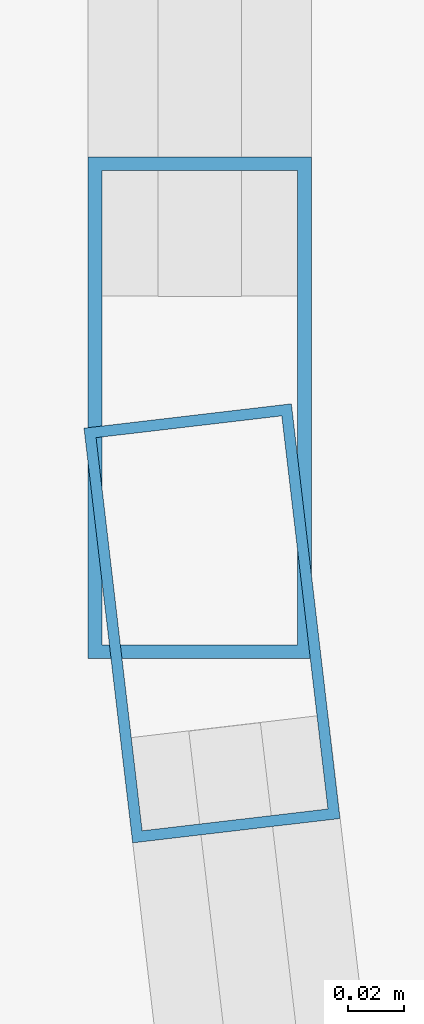
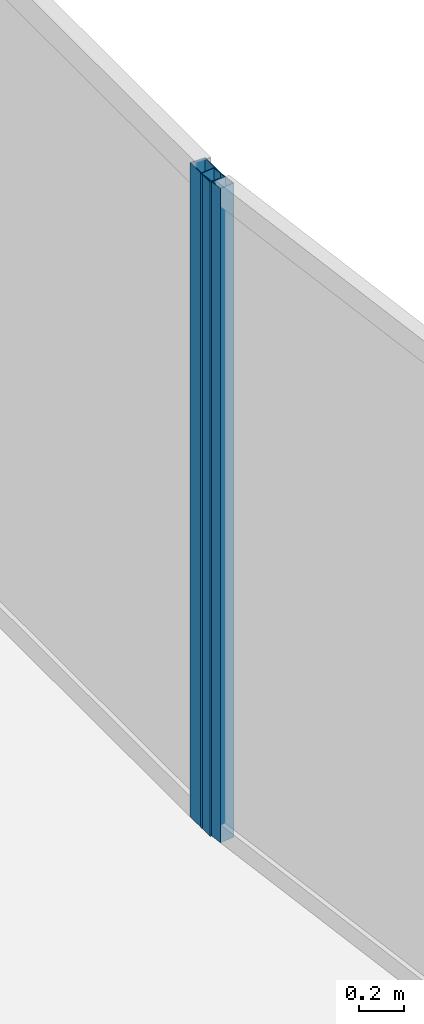
# One storey, part 12 of 23: 2 members, 2 elements without a shape of their own.
"""IFC4 building model written with IfcOpenShell, lengths in metres."""

from ifc_helpers import new_model, si_unit, direction, frame, origin, origin_2d, place, context, subcontext, project, spatial, hollow_rectangle, extrude, material, layer, layer_set, material_profile, profile_set, type_object, element, aggregate, save


model = new_model("IFC4")

# Units and contexts
model_context = context("Model", 3, precision=1e-05, world=origin(), true_north=direction((0.0, 1.0)))
body_context = subcontext(model_context, "Body", "Model", "MODEL_VIEW")
ifc_project = project(units=[si_unit("LENGTHUNIT", "METRE"), si_unit("AREAUNIT", "SQUARE_METRE"), si_unit("VOLUMEUNIT", "CUBIC_METRE"), si_unit("PLANEANGLEUNIT", "RADIAN"), si_unit("MASSUNIT", "GRAM", prefix="KILO")], contexts=[model_context])

# Site, building, storey
site_placement = place(None, origin())
site = spatial("IfcSite", under=ifc_project, at=site_placement, CompositionType="ELEMENT")
building_placement = place(site_placement, origin())
building = spatial("IfcBuilding", under=site, at=building_placement, Name="Kazevale Care Tower and Concert Hall", CompositionType="ELEMENT")
storey_placement = place(building_placement, frame((0.0, 0.0, 270.0)))
storey = spatial("IfcBuildingStorey", under=building, at=storey_placement, Name="L71", CompositionType="ELEMENT", Elevation=270.0)

# Curtain wall, member
ifc_material_1 = material(Name="Aluminium 6063-T6 and Low-E Glass", Category="aluminium")
ifc_layer_1 = layer(ifc_material_1, 0.179931640625)
ifc_layer_set_1 = layer_set([ifc_layer_1], Name="Aluminium 6063-T6 and Low-E Glass")
curtain_wall_type_1 = type_object("IfcCurtainWallType", Name="Waist & Upper Residential Curtain Wall CW-4", PredefinedType="NOTDEFINED", material=ifc_layer_set_1)
curtain_wall_1_placement = place(storey_placement, origin())
curtain_wall_1 = element("IfcCurtainWall", 1, at=curtain_wall_1_placement, inside=storey, type_object=curtain_wall_type_1, Name="cw:L71:f14", PredefinedType="NOTDEFINED")
ifc_material_2 = material(Name="Aluminium 6063-T6", Category="aluminium")
ifc_material_profile_1 = material_profile(ifc_material_2, hollow_rectangle(XDim=0.080078125, YDim=0.179931640625, WallThickness=0.0048828125, at=origin_2d()), Name="ALU80x180x5")
ifc_profile_set_1 = profile_set([ifc_material_profile_1], Name="Aluminium 6063-T6")
member_type_1 = type_object("IfcMemberType", Name="CW-4 Mullion ALU80x180x5", PredefinedType="MULLION", material=ifc_profile_set_1)
member_1_placement = place(storey_placement, frame((51.7119140625, 27.08203125, 0.0), z_axis=(0.0, 0.0, 1.0), x_axis=(1.0, 0.0, 0.0)))
member_1 = element("IfcMember", 2, at=member_1_placement, type_object=member_type_1, Name="CW-4 mullion 2", PredefinedType="MULLION", context=body_context, shape_type="SweptSolid", body=[
    extrude(hollow_rectangle(XDim=0.080078125, YDim=0.179931640625, WallThickness=0.0048828125, at=origin_2d()), origin(), (0.0, 0.0, 1.0), 3.56005859375),
])
aggregate(curtain_wall_1, [member_1])

ifc_layer_2 = layer(ifc_material_1, 0.179931640625)
ifc_layer_set_2 = layer_set([ifc_layer_2], Name="Aluminium 6063-T6 and Low-E Glass")
curtain_wall_type_2 = type_object("IfcCurtainWallType", Name="Sheltered Concave Balcony Curtain Wall CW-5", PredefinedType="NOTDEFINED", material=ifc_layer_set_2)
curtain_wall_2_placement = place(storey_placement, origin())
curtain_wall_2 = element("IfcCurtainWall", 3, at=curtain_wall_2_placement, inside=storey, type_object=curtain_wall_type_2, Name="cw:L71:f15", PredefinedType="NOTDEFINED")
ifc_material_profile_2 = material_profile(ifc_material_2, hollow_rectangle(XDim=0.074951171875, YDim=0.14990234375, WallThickness=0.00390625, at=origin_2d()), Name="ALU75x150x4")
ifc_profile_set_2 = profile_set([ifc_material_profile_2], Name="Aluminium 6063-T6")
member_type_2 = type_object("IfcMemberType", Name="CW-5 Mullion ALU75x150x4", PredefinedType="MULLION", material=ifc_profile_set_2)
member_2_placement = place(storey_placement, frame((51.71630859375, 27.004638671875, 0.0), z_axis=(0.0, 0.0, 1.0), x_axis=(0.993190623592, 0.116500580295, 0.0)))
member_2 = element("IfcMember", 4, at=member_2_placement, type_object=member_type_2, Name="CW-5 mullion 1", PredefinedType="MULLION", context=body_context, shape_type="SweptSolid", body=[
    extrude(hollow_rectangle(XDim=0.074951171875, YDim=0.14990234375, WallThickness=0.00390625, at=origin_2d()), origin(), (0.0, 0.0, 1.0), 3.56005859375),
])
aggregate(curtain_wall_2, [member_2])

save(model, "model.ifc")
